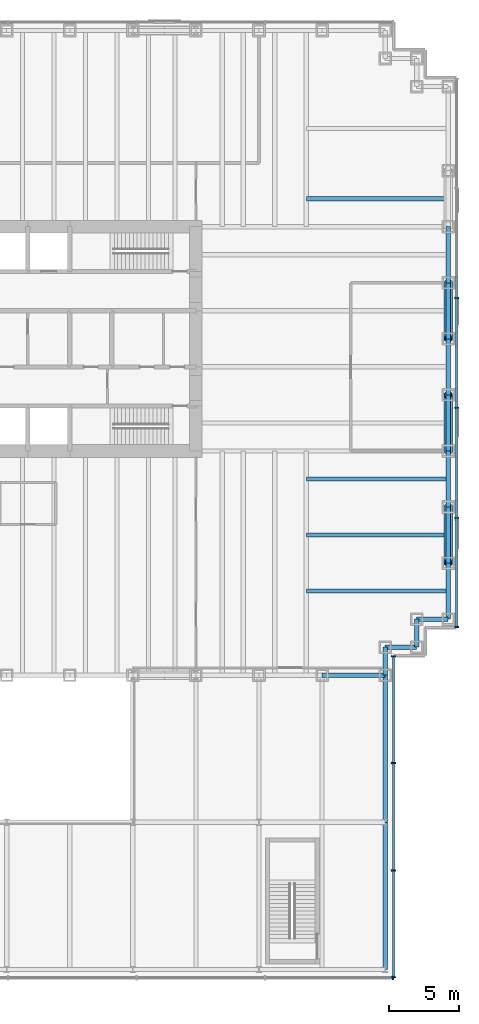
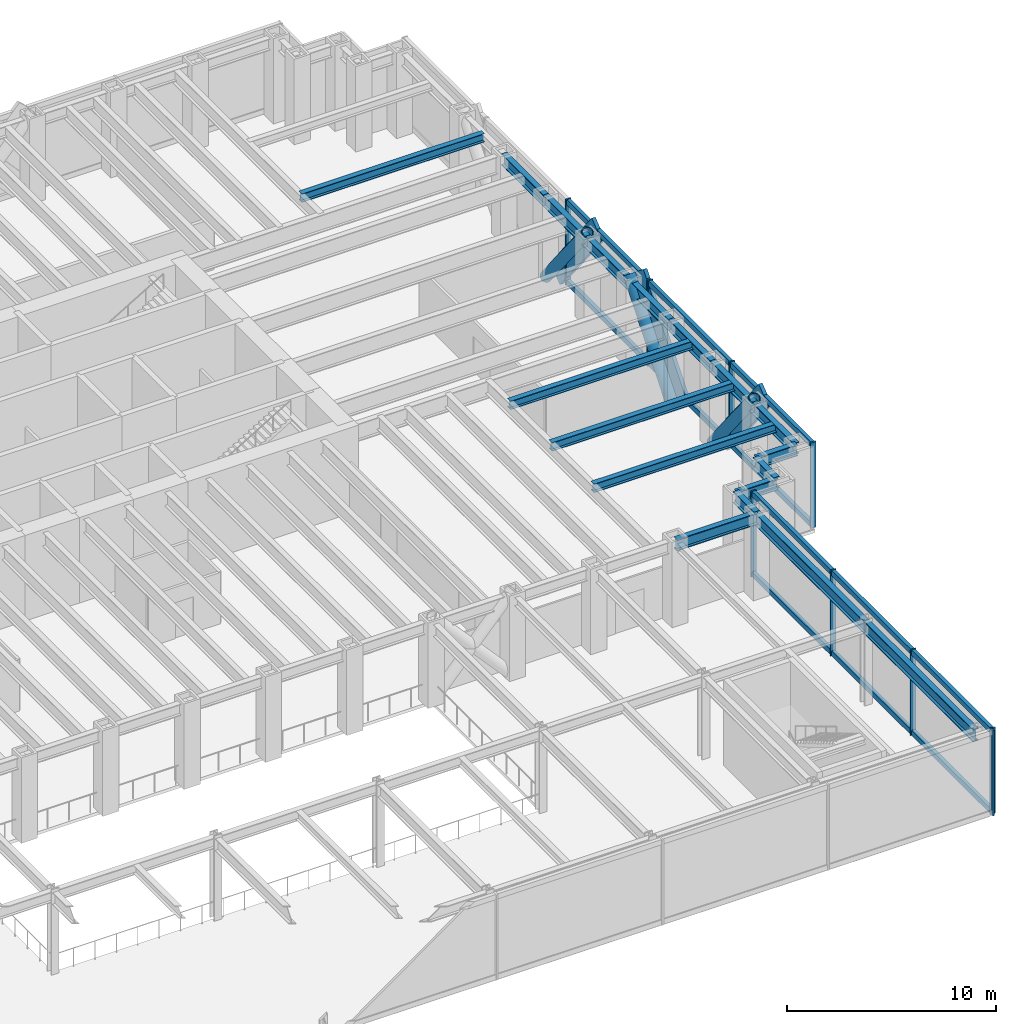
# One storey, part 7 of 17: 27 members, 18 beams, 3 elements without a shape of their own.
"""IFC4 building model written with IfcOpenShell, lengths in metres."""

import ifcopenshell
import ifcopenshell.guid

model = None  # the IFC model being written
_history = None  # IfcOwnerHistory: only IFC2X3 demands one
_inside = {}  # id of a spatial element -> (the spatial element, [elements in it])
_under = {}  # id of a project, library or spatial element -> (it, [spatial elements below it])
_declared = {}  # id of a project -> (the project, [libraries it declares])
_typed = {}  # id of a type object -> (the type object, [elements of that type])
_made_of = {}  # id of a material, layer set ... -> (it, [elements and type objects made of it])


def new_model(schema):
    """Start an empty IFC model of exactly this schema.

    Asked for "IFC4X3", IfcOpenShell would pick the latest addendum, in which some entities
    have other attributes; the version numbers below select the first issue.
    IFC2X3 requires an IfcOwnerHistory on every rooted entity: one is made here for all.
    """
    global model, _history
    if schema == "IFC4X3":
        model = ifcopenshell.file(schema_version=(4, 3, 0, 0))
    else:
        model = ifcopenshell.file(schema=schema)
    _inside.clear()
    _under.clear()
    _declared.clear()
    _typed.clear()
    _made_of.clear()
    _history = None
    if model.schema == "IFC2X3":
        org = make("IfcOrganization", Name="unknown")
        user = make(
            "IfcPersonAndOrganization",
            ThePerson=make("IfcPerson", FamilyName="unknown"),
            TheOrganization=org,
        )
        app = make(
            "IfcApplication",
            ApplicationDeveloper=org,
            Version="unknown",
            ApplicationFullName="unknown",
            ApplicationIdentifier="unknown",
        )
        _history = make(
            "IfcOwnerHistory",
            OwningUser=user,
            OwningApplication=app,
            ChangeAction="ADDED",
            CreationDate=0,
        )
    return model


def make(cls, **values):
    """One entity of the class cls with the attributes given. An attribute that is None is left unset."""
    return model.create_entity(
        cls, **{name: value for name, value in values.items() if value is not None}
    )


def rooted(cls, **values):
    """An entity with a GlobalId (a new one), such as an element, a storey or a relation."""
    return make(cls, GlobalId=ifcopenshell.guid.new(), OwnerHistory=_history, **values)


def si_unit(unit_type, name, prefix=None):
    """IfcSIUnit, for example si_unit("LENGTHUNIT", "METRE", prefix="MILLI")."""
    return make("IfcSIUnit", UnitType=unit_type, Prefix=prefix, Name=name)


def assignment(units):
    """IfcUnitAssignment: the units of a project."""
    return None if units is None else make("IfcUnitAssignment", Units=units)


def point(xyz):
    """IfcCartesianPoint."""
    return None if xyz is None else make("IfcCartesianPoint", Coordinates=xyz)


def direction(xyz):
    """IfcDirection."""
    return None if xyz is None else make("IfcDirection", DirectionRatios=xyz)


def frame(location, z_axis=None, x_axis=None):
    """IfcAxis2Placement3D, a coordinate frame: its origin and axes. An axis left out is left unset."""
    return make(
        "IfcAxis2Placement3D",
        Location=point(location),
        Axis=direction(z_axis),
        RefDirection=direction(x_axis),
    )


def frame_2d(location, x_axis=None):
    """IfcAxis2Placement2D, a coordinate frame in the plane: its origin and x axis."""
    return make(
        "IfcAxis2Placement2D", Location=point(location), RefDirection=direction(x_axis)
    )


def origin():
    """The frame at (0, 0, 0) with its axes left unset."""
    return frame((0.0, 0.0, 0.0))


def origin_2d():
    """The frame at (0, 0) in the plane with its x axis left unset."""
    return frame_2d((0.0, 0.0))


def place(relative_to, where):
    """IfcLocalPlacement: puts the frame where relative to a parent placement (None: the world)."""
    return make(
        "IfcLocalPlacement", PlacementRelTo=relative_to, RelativePlacement=where
    )


def context(
    kind, dimensions, precision=None, world=None, true_north=None, identifier=None
):
    """IfcGeometricRepresentationContext, for example the 3D "Model" context."""
    return make(
        "IfcGeometricRepresentationContext",
        ContextIdentifier=identifier,
        ContextType=kind,
        CoordinateSpaceDimension=dimensions,
        Precision=precision,
        WorldCoordinateSystem=world,
        TrueNorth=true_north,
    )


def subcontext(parent, identifier, kind, view, scale=None):
    """IfcGeometricRepresentationSubContext, for example "Body" below "Model"."""
    return make(
        "IfcGeometricRepresentationSubContext",
        ContextIdentifier=identifier,
        ContextType=kind,
        ParentContext=parent,
        TargetScale=scale,
        TargetView=view,
    )


def project(units=None, contexts=None):
    """IfcProject with its units and contexts."""
    return rooted(
        "IfcProject",
        Name="project",
        RepresentationContexts=contexts,
        UnitsInContext=assignment(units),
    )


def spatial(cls, under=None, at=None, **own):
    """A site, building, storey or space (cls), placed at a placement, below another one or the project."""
    s = rooted(cls, ObjectPlacement=at, **own)
    if under is not None:
        _under.setdefault(under.id(), (under, []))[1].append(s)
    return s


def profile(cls, at=None, kind="AREA", **sizes):
    """A parametric profile (cls). Its sizes go by their IFC names, for example OverallWidth=200.0."""
    return make(cls, ProfileType=kind, Position=at, **sizes)


def rectangle(**sizes):
    """IfcRectangleProfileDef."""
    return profile("IfcRectangleProfileDef", **sizes)


def hollow_circle(**sizes):
    """IfcCircleHollowProfileDef."""
    return profile("IfcCircleHollowProfileDef", **sizes)


def i_section(**sizes):
    """IfcIShapeProfileDef."""
    return profile("IfcIShapeProfileDef", **sizes)


def extrude(swept, where, along, depth):
    """IfcExtrudedAreaSolid: the profile swept, set in the frame where, extruded along a direction by depth."""
    return make(
        "IfcExtrudedAreaSolid",
        SweptArea=swept,
        Position=where,
        ExtrudedDirection=direction(along),
        Depth=depth,
    )


def shape(context_of_items, identifier, shape_type, items):
    """IfcShapeRepresentation: the items that make up one representation, for example the "Body"."""
    return make(
        "IfcShapeRepresentation",
        ContextOfItems=context_of_items,
        RepresentationIdentifier=identifier,
        RepresentationType=shape_type,
        Items=items,
    )


def material(Name=None, Category=None):
    """IfcMaterial."""
    return make("IfcMaterial", Name=Name, Category=Category)


def material_profile(
    of_material, cross_section, Name=None, Category=None, Priority=None
):
    """IfcMaterialProfile: a cross section and its material."""
    return make(
        "IfcMaterialProfile",
        Name=Name,
        Material=of_material,
        Profile=cross_section,
        Priority=Priority,
        Category=Category,
    )


def profile_set(profiles, Name=None, composite=None):
    """IfcMaterialProfileSet."""
    return make(
        "IfcMaterialProfileSet",
        Name=Name,
        MaterialProfiles=profiles,
        CompositeProfile=composite,
    )


def made_of(thing, what):
    """Note that an element or type object is made of a material, layer set ...; save() writes the relation."""
    if what is not None:
        _made_of.setdefault(what.id(), (what, []))[1].append(thing)
    return thing


def type_object(cls, material=None, **own):
    """A type object (cls), such as IfcWallType, which elements share."""
    return made_of(rooted(cls, **own), material)


def element(
    cls,
    number,
    at=None,
    inside=None,
    cuts=None,
    type_object=None,
    material=None,
    context=None,
    identifier="Body",
    shape_type=None,
    held_by="IfcProductDefinitionShape",
    body=None,
    shapes=None,
    **own,
):
    """One element of the class cls, such as IfcWall. Its Tag is "e" and its number.

    at: its placement. inside: the storey or other place that contains it. cuts: it is an
    opening in that element (IfcRelVoidsElement). A single representation is given by context,
    identifier, shape_type and body (its items); several are given by shapes. held_by: the class
    of the entity that holds the representations. save() writes the other relations.
    """
    e = rooted(cls, Tag="e%d" % number, ObjectPlacement=at, **own)
    if body is not None:
        shapes = [shape(context, identifier, shape_type, body)]
    if shapes is not None:
        e.Representation = make(held_by, Representations=shapes)
    if inside is not None:
        _inside.setdefault(inside.id(), (inside, []))[1].append(e)
    if cuts is not None:
        rooted(
            "IfcRelVoidsElement", RelatingBuildingElement=cuts, RelatedOpeningElement=e
        )
    if type_object is not None:
        _typed.setdefault(type_object.id(), (type_object, []))[1].append(e)
    return made_of(e, material)


def aggregate(whole, parts):
    """IfcRelAggregates: a whole, such as a stair, and the parts it consists of."""
    return rooted("IfcRelAggregates", RelatingObject=whole, RelatedObjects=parts)


def save(model, path):
    """Write the relations noted so far, then the file.

    IfcRelAggregates (storeys below a building ...), IfcRelContainedInSpatialStructure (elements
    in a storey), IfcRelDefinesByType, IfcRelAssociatesMaterial and IfcRelDeclares: one each for
    every whole, place, type object, material and project.
    """
    for whole, parts in _under.values():
        aggregate(whole, parts)
    for where, things in _inside.values():
        rooted(
            "IfcRelContainedInSpatialStructure",
            RelatedElements=things,
            RelatingStructure=where,
        )
    for kind, things in _typed.values():
        rooted("IfcRelDefinesByType", RelatedObjects=things, RelatingType=kind)
    for what, things in _made_of.values():
        rooted("IfcRelAssociatesMaterial", RelatedObjects=things, RelatingMaterial=what)
    for by, libraries in _declared.values():
        rooted("IfcRelDeclares", RelatingContext=by, RelatedDefinitions=libraries)
    model.write(path)


model = new_model("IFC4")

# Units and contexts
model_context = context("Model", 3, precision=1e-05, world=origin(), true_north=direction((0.0, 1.0)))
body_context = subcontext(model_context, "Body", "Model", "MODEL_VIEW")
ifc_project = project(units=[si_unit("LENGTHUNIT", "METRE"), si_unit("AREAUNIT", "SQUARE_METRE"), si_unit("VOLUMEUNIT", "CUBIC_METRE"), si_unit("PLANEANGLEUNIT", "RADIAN"), si_unit("MASSUNIT", "GRAM", prefix="KILO")], contexts=[model_context])

# Site, building, storey
site_placement = place(None, origin())
site = spatial("IfcSite", under=ifc_project, at=site_placement, CompositionType="ELEMENT")
building_placement = place(site_placement, origin())
building = spatial("IfcBuilding", under=site, at=building_placement, Name="Rheinbord Bourse Tower", CompositionType="ELEMENT")
storey_placement = place(building_placement, frame((0.0, 0.0, 13.0)))
storey = spatial("IfcBuildingStorey", under=building, at=storey_placement, Name="L02", CompositionType="ELEMENT", Elevation=13.0)

# Curtain wall, members
ifc_material_1 = material(Name="Dark glass and black aluminium", Category="aluminium")
curtain_wall_type = type_object("IfcCurtainWallType", Name="CW4 DARK GLASS CURTAIN WALL", PredefinedType="USERDEFINED", material=ifc_material_1)
curtain_wall_1_placement = place(storey_placement, origin())
curtain_wall_1 = element("IfcCurtainWall", 1, at=curtain_wall_1_placement, inside=storey, type_object=curtain_wall_type, Name="Curtain wall CW4 E L02", ObjectType="UNITISED CURTAIN WALL", PredefinedType="USERDEFINED")
ifc_material_2 = material(Name="Black anodised aluminium", Category="aluminium")
ifc_material_profile_1 = material_profile(ifc_material_2, rectangle(XDim=0.199951171875, YDim=1.2099609375, at=origin_2d()), Name="CW4 DIAGONAL MULLION 1210x200")
ifc_profile_set_1 = profile_set([ifc_material_profile_1], Name="Black anodised aluminium")
member_type_1 = type_object("IfcMemberType", Name="CW4 BLACK DIAGONAL MULLION", PredefinedType="USERDEFINED", material=ifc_profile_set_1)
member_1_placement = place(storey_placement, frame((72.60009765625, 16.0, 0.0), z_axis=(0.0, 0.624695047554, 0.780868809443), x_axis=(-1.0, 0.0, 0.0)))
member_1 = element("IfcMember", 2, at=member_1_placement, type_object=member_type_1, Name="CW4 diagonal mullion a", ObjectType="DIAGONAL MULLION", PredefinedType="USERDEFINED", context=body_context, shape_type="SweptSolid", body=[
    extrude(rectangle(XDim=0.199951171875, YDim=1.2099609375, at=origin_2d()), origin(), (0.0, 0.0, 1.0), 6.403076171875),
])
member_2_placement = place(storey_placement, frame((72.60009765625, 28.0, 0.0), z_axis=(0.0, -0.624695047554, 0.780868809443), x_axis=(1.0, 0.0, 0.0)))
member_2 = element("IfcMember", 3, at=member_2_placement, type_object=member_type_1, Name="CW4 diagonal mullion b", ObjectType="DIAGONAL MULLION", PredefinedType="USERDEFINED", context=body_context, shape_type="SweptSolid", body=[
    extrude(rectangle(XDim=0.199951171875, YDim=1.2099609375, at=origin_2d()), origin(), (0.0, 0.0, 1.0), 6.403076171875),
])
member_3_placement = place(storey_placement, frame((72.60009765625, 12.0, 0.0), z_axis=(0.0, -0.624695047554, 0.780868809443), x_axis=(1.0, 0.0, 0.0)))
member_3 = element("IfcMember", 4, at=member_3_placement, type_object=member_type_1, Name="CW4 diagonal mullion d", ObjectType="DIAGONAL MULLION", PredefinedType="USERDEFINED", context=body_context, shape_type="SweptSolid", body=[
    extrude(rectangle(XDim=0.199951171875, YDim=1.2099609375, at=origin_2d()), origin(), (0.0, 0.0, 1.0), 6.403076171875),
])

# Curtain wall, member
curtain_wall_2_placement = place(storey_placement, origin())
curtain_wall_2 = element("IfcCurtainWall", 5, at=curtain_wall_2_placement, inside=storey, type_object=curtain_wall_type, Name="Curtain wall CW4 S L02", ObjectType="UNITISED CURTAIN WALL", PredefinedType="USERDEFINED")
ifc_material_3 = material(Name="Black anodised aluminium", Category="aluminium")
ifc_material_profile_2 = material_profile(ifc_material_3, rectangle(XDim=0.300048828125, YDim=0.090087890625, at=origin_2d()), Name="CW4 MULLION 90x300")
ifc_profile_set_2 = profile_set([ifc_material_profile_2], Name="Black anodised aluminium")
member_type_2 = type_object("IfcMemberType", Name="CW4 BLACK MULLION", PredefinedType="MULLION", material=ifc_profile_set_2)
member_4_placement = place(storey_placement, frame((68.054931640625, -21.60009765625, 0.0), z_axis=(0.0, 0.0, 1.0), x_axis=(0.0, 1.0, 0.0)))
member_4 = element("IfcMember", 6, at=member_4_placement, type_object=member_type_2, Name="CW4 mullion 8", PredefinedType="MULLION", context=body_context, shape_type="SweptSolid", body=[
    extrude(rectangle(XDim=0.300048828125, YDim=0.090087890625, at=origin_2d()), origin(), (0.0, 0.0, 1.0), 5.0),
])
aggregate(curtain_wall_2, [member_4])

# Curtain wall, members
curtain_wall_3_placement = place(storey_placement, origin())
curtain_wall_3 = element("IfcCurtainWall", 7, at=curtain_wall_3_placement, inside=storey, type_object=curtain_wall_type, Name="Curtain wall CW4 E L02", ObjectType="UNITISED CURTAIN WALL", PredefinedType="USERDEFINED")
member_5_placement = place(storey_placement, frame((68.10009765625, -21.554931640625, 0.0), z_axis=(0.0, 0.0, 1.0), x_axis=(-1.0, 0.0, 0.0)))
member_5 = element("IfcMember", 8, at=member_5_placement, type_object=member_type_2, Name="CW4 mullion 1", PredefinedType="MULLION", context=body_context, shape_type="SweptSolid", body=[
    extrude(rectangle(XDim=0.300048828125, YDim=0.090087890625, at=origin_2d()), origin(), (0.0, 0.0, 1.0), 5.0),
])
member_6_placement = place(storey_placement, frame((68.10009765625, -13.933349609375, 0.0), z_axis=(0.0, 0.0, 1.0), x_axis=(-1.0, 0.0, 0.0)))
member_6 = element("IfcMember", 9, at=member_6_placement, type_object=member_type_2, Name="CW4 mullion 2", PredefinedType="MULLION", context=body_context, shape_type="SweptSolid", body=[
    extrude(rectangle(XDim=0.300048828125, YDim=0.090087890625, at=origin_2d()), origin(), (0.0, 0.0, 1.0), 5.0),
])
member_7_placement = place(storey_placement, frame((68.10009765625, -6.2666015625, 0.0), z_axis=(0.0, 0.0, 1.0), x_axis=(-1.0, 0.0, 0.0)))
member_7 = element("IfcMember", 10, at=member_7_placement, type_object=member_type_2, Name="CW4 mullion 3", PredefinedType="MULLION", context=body_context, shape_type="SweptSolid", body=[
    extrude(rectangle(XDim=0.300048828125, YDim=0.090087890625, at=origin_2d()), origin(), (0.0, 0.0, 1.0), 5.0),
])
member_8_placement = place(storey_placement, frame((68.10009765625, 1.35498046875, 0.0), z_axis=(0.0, 0.0, 1.0), x_axis=(-1.0, 0.0, 0.0)))
member_8 = element("IfcMember", 11, at=member_8_placement, type_object=member_type_2, Name="CW4 mullion 4", PredefinedType="MULLION", context=body_context, shape_type="SweptSolid", body=[
    extrude(rectangle(XDim=0.300048828125, YDim=0.090087890625, at=origin_2d()), origin(), (0.0, 0.0, 1.0), 5.0),
])

# Member
member_9_placement = place(storey_placement, frame((72.60009765625, 3.445068359375, 0.0), z_axis=(0.0, 0.0, 1.0), x_axis=(-1.0, 0.0, 0.0)))
member_9 = element("IfcMember", 12, at=member_9_placement, type_object=member_type_2, Name="CW4 mullion 1", PredefinedType="MULLION", context=body_context, shape_type="SweptSolid", body=[
    extrude(rectangle(XDim=0.300048828125, YDim=0.090087890625, at=origin_2d()), origin(), (0.0, 0.0, 1.0), 5.0),
])

member_10_placement = place(storey_placement, frame((72.60009765625, 11.239990234375, 0.0), z_axis=(0.0, 0.0, 1.0), x_axis=(-1.0, 0.0, 0.0)))
member_10 = element("IfcMember", 13, at=member_10_placement, type_object=member_type_2, Name="CW4 mullion 2", PredefinedType="MULLION", context=body_context, shape_type="SweptSolid", body=[
    extrude(rectangle(XDim=0.300048828125, YDim=0.090087890625, at=origin_2d()), origin(), (0.0, 0.0, 1.0), 5.0),
])

member_11_placement = place(storey_placement, frame((72.60009765625, 19.080078125, 0.0), z_axis=(0.0, 0.0, 1.0), x_axis=(-1.0, 0.0, 0.0)))
member_11 = element("IfcMember", 14, at=member_11_placement, type_object=member_type_2, Name="CW4 mullion 3", PredefinedType="MULLION", context=body_context, shape_type="SweptSolid", body=[
    extrude(rectangle(XDim=0.300048828125, YDim=0.090087890625, at=origin_2d()), origin(), (0.0, 0.0, 1.0), 5.0),
])

member_12_placement = place(storey_placement, frame((72.60009765625, 26.919921875, 0.0), z_axis=(0.0, 0.0, 1.0), x_axis=(-1.0, 0.0, 0.0)))
member_12 = element("IfcMember", 15, at=member_12_placement, type_object=member_type_2, Name="CW4 mullion 4", PredefinedType="MULLION", context=body_context, shape_type="SweptSolid", body=[
    extrude(rectangle(XDim=0.300048828125, YDim=0.090087890625, at=origin_2d()), origin(), (0.0, 0.0, 1.0), 5.0),
])

ifc_material_4 = material(Name="Black anodised aluminium", Category="aluminium")
ifc_material_profile_3 = material_profile(ifc_material_4, rectangle(XDim=0.199951171875, YDim=0.300048828125, at=origin_2d()), Name="CW4 TRANSOM 300x200")
ifc_profile_set_3 = profile_set([ifc_material_profile_3], Name="Black anodised aluminium")
member_type_3 = type_object("IfcMemberType", Name="CW4 BLACK TRANSOM", PredefinedType="USERDEFINED", material=ifc_profile_set_3)
member_13_placement = place(storey_placement, frame((68.10009765625, -21.510009765625, 0.14990234375), z_axis=(0.0, 1.0, 0.0), x_axis=(-1.0, 0.0, 0.0)))
member_13 = element("IfcMember", 16, at=member_13_placement, type_object=member_type_3, Name="CW4 transom 1.1", ObjectType="TRANSOM", PredefinedType="USERDEFINED", context=body_context, shape_type="SweptSolid", body=[
    extrude(rectangle(XDim=0.199951171875, YDim=0.300048828125, at=origin_2d()), origin(), (0.0, 0.0, 1.0), 7.53173828125),
])

member_14_placement = place(storey_placement, frame((68.10009765625, -21.510009765625, 4.85009765625), z_axis=(0.0, 1.0, 0.0), x_axis=(-1.0, 0.0, 0.0)))
member_14 = element("IfcMember", 17, at=member_14_placement, type_object=member_type_3, Name="CW4 transom 1.2", ObjectType="TRANSOM", PredefinedType="USERDEFINED", context=body_context, shape_type="SweptSolid", body=[
    extrude(rectangle(XDim=0.199951171875, YDim=0.300048828125, at=origin_2d()), origin(), (0.0, 0.0, 1.0), 7.53173828125),
])

member_15_placement = place(storey_placement, frame((68.10009765625, -13.888427734375, 0.14990234375), z_axis=(0.0, 1.0, 0.0), x_axis=(-1.0, 0.0, 0.0)))
member_15 = element("IfcMember", 18, at=member_15_placement, type_object=member_type_3, Name="CW4 transom 2.1", ObjectType="TRANSOM", PredefinedType="USERDEFINED", context=body_context, shape_type="SweptSolid", body=[
    extrude(rectangle(XDim=0.199951171875, YDim=0.300048828125, at=origin_2d()), origin(), (0.0, 0.0, 1.0), 7.57666015625),
])

member_16_placement = place(storey_placement, frame((68.10009765625, -13.888427734375, 4.85009765625), z_axis=(0.0, 1.0, 0.0), x_axis=(-1.0, 0.0, 0.0)))
member_16 = element("IfcMember", 19, at=member_16_placement, type_object=member_type_3, Name="CW4 transom 2.2", ObjectType="TRANSOM", PredefinedType="USERDEFINED", context=body_context, shape_type="SweptSolid", body=[
    extrude(rectangle(XDim=0.199951171875, YDim=0.300048828125, at=origin_2d()), origin(), (0.0, 0.0, 1.0), 7.57666015625),
])

member_17_placement = place(storey_placement, frame((68.10009765625, -6.2216796875, 0.14990234375), z_axis=(0.0, 1.0, 0.0), x_axis=(-1.0, 0.0, 0.0)))
member_17 = element("IfcMember", 20, at=member_17_placement, type_object=member_type_3, Name="CW4 transom 3.1", ObjectType="TRANSOM", PredefinedType="USERDEFINED", context=body_context, shape_type="SweptSolid", body=[
    extrude(rectangle(XDim=0.199951171875, YDim=0.300048828125, at=origin_2d()), origin(), (0.0, 0.0, 1.0), 7.53173828125),
])

member_18_placement = place(storey_placement, frame((68.10009765625, -6.2216796875, 4.85009765625), z_axis=(0.0, 1.0, 0.0), x_axis=(-1.0, 0.0, 0.0)))
member_18 = element("IfcMember", 21, at=member_18_placement, type_object=member_type_3, Name="CW4 transom 3.2", ObjectType="TRANSOM", PredefinedType="USERDEFINED", context=body_context, shape_type="SweptSolid", body=[
    extrude(rectangle(XDim=0.199951171875, YDim=0.300048828125, at=origin_2d()), origin(), (0.0, 0.0, 1.0), 7.53173828125),
])

aggregate(curtain_wall_3, [member_5, member_6, member_7, member_8, member_13, member_14, member_15, member_16, member_17, member_18])

member_19_placement = place(storey_placement, frame((72.60009765625, 3.489990234375, 0.14990234375), z_axis=(0.0, 1.0, 0.0), x_axis=(-1.0, 0.0, 0.0)))
member_19 = element("IfcMember", 22, at=member_19_placement, type_object=member_type_3, Name="CW4 transom 1.1", ObjectType="TRANSOM", PredefinedType="USERDEFINED", context=body_context, shape_type="SweptSolid", body=[
    extrude(rectangle(XDim=0.199951171875, YDim=0.300048828125, at=origin_2d()), origin(), (0.0, 0.0, 1.0), 7.705078125),
])

member_20_placement = place(storey_placement, frame((72.60009765625, 3.489990234375, 4.85009765625), z_axis=(0.0, 1.0, 0.0), x_axis=(-1.0, 0.0, 0.0)))
member_20 = element("IfcMember", 23, at=member_20_placement, type_object=member_type_3, Name="CW4 transom 1.2", ObjectType="TRANSOM", PredefinedType="USERDEFINED", context=body_context, shape_type="SweptSolid", body=[
    extrude(rectangle(XDim=0.199951171875, YDim=0.300048828125, at=origin_2d()), origin(), (0.0, 0.0, 1.0), 7.705078125),
])

member_21_placement = place(storey_placement, frame((72.60009765625, 11.284912109375, 0.14990234375), z_axis=(0.0, 1.0, 0.0), x_axis=(-1.0, 0.0, 0.0)))
member_21 = element("IfcMember", 24, at=member_21_placement, type_object=member_type_3, Name="CW4 transom 2.1", ObjectType="TRANSOM", PredefinedType="USERDEFINED", context=body_context, shape_type="SweptSolid", body=[
    extrude(rectangle(XDim=0.199951171875, YDim=0.300048828125, at=origin_2d()), origin(), (0.0, 0.0, 1.0), 7.75),
])

member_22_placement = place(storey_placement, frame((72.60009765625, 11.284912109375, 4.85009765625), z_axis=(0.0, 1.0, 0.0), x_axis=(-1.0, 0.0, 0.0)))
member_22 = element("IfcMember", 25, at=member_22_placement, type_object=member_type_3, Name="CW4 transom 2.2", ObjectType="TRANSOM", PredefinedType="USERDEFINED", context=body_context, shape_type="SweptSolid", body=[
    extrude(rectangle(XDim=0.199951171875, YDim=0.300048828125, at=origin_2d()), origin(), (0.0, 0.0, 1.0), 7.75),
])

member_23_placement = place(storey_placement, frame((72.60009765625, 19.125, 0.14990234375), z_axis=(0.0, 1.0, 0.0), x_axis=(-1.0, 0.0, 0.0)))
member_23 = element("IfcMember", 26, at=member_23_placement, type_object=member_type_3, Name="CW4 transom 3.1", ObjectType="TRANSOM", PredefinedType="USERDEFINED", context=body_context, shape_type="SweptSolid", body=[
    extrude(rectangle(XDim=0.199951171875, YDim=0.300048828125, at=origin_2d()), origin(), (0.0, 0.0, 1.0), 7.75),
])

member_24_placement = place(storey_placement, frame((72.60009765625, 19.125, 4.85009765625), z_axis=(0.0, 1.0, 0.0), x_axis=(-1.0, 0.0, 0.0)))
member_24 = element("IfcMember", 27, at=member_24_placement, type_object=member_type_3, Name="CW4 transom 3.2", ObjectType="TRANSOM", PredefinedType="USERDEFINED", context=body_context, shape_type="SweptSolid", body=[
    extrude(rectangle(XDim=0.199951171875, YDim=0.300048828125, at=origin_2d()), origin(), (0.0, 0.0, 1.0), 7.75),
])

aggregate(curtain_wall_1, [member_9, member_10, member_11, member_12, member_19, member_20, member_21, member_22, member_23, member_24, member_1, member_2, member_3])

# Members
ifc_material_5 = material(Name="Steel S460", Category="steel")
ifc_material_profile_4 = material_profile(ifc_material_5, hollow_circle(Radius=0.304931640625, WallThickness=0.050048828125, at=origin_2d()), Name="CHS 610x50")
ifc_profile_set_4 = profile_set([ifc_material_profile_4], Name="Steel S460")
member_type_4 = type_object("IfcMemberType", Name="MEGABRACE CHS 610x50", PredefinedType="BRACE", material=ifc_profile_set_4)
for number, where, z_axis, x_axis, name in (
    (28, (72.0, 16.0, 0.0), (0.0, 0.624695047554, 0.780868809443), (-1.0, 0.0, 0.0), "Megabrace E face line a L02"),
    (29, (72.0, 28.0, 0.0), (0.0, -0.624695047554, 0.780868809443), (1.0, 0.0, 0.0), "Megabrace E face line b L02"),
    (30, (72.0, 12.0, 0.0), (0.0, -0.624695047554, 0.780868809443), (1.0, 0.0, 0.0), "Megabrace E face line d L02"),
):
    element("IfcMember", number, at=place(storey_placement, frame(where, z_axis=z_axis, x_axis=x_axis)), inside=storey, type_object=member_type_4, Name=name, PredefinedType="BRACE", context=body_context, shape_type="SweptSolid", body=[
        extrude(hollow_circle(Radius=0.304931640625, WallThickness=0.050048828125, at=origin_2d()), origin(), (0.0, 0.0, 1.0), 6.403076171875),
    ])

# Beams
ifc_material_6 = material(Name="Steel S460", Category="steel")
ifc_material_profile_5 = material_profile(ifc_material_6, i_section(OverallWidth=0.303955078125, OverallDepth=0.716064453125, WebThickness=0.02099609375, FlangeThickness=0.0400390625, at=origin_2d()), Name="HEM 700")
ifc_profile_set_5 = profile_set([ifc_material_profile_5], Name="Steel S460")
beam_type_1 = type_object("IfcBeamType", Name="PODIUM GIRDER HEM 700", PredefinedType="BEAM", material=ifc_profile_set_5)
for number, where, z_axis, x_axis, name in (
    (31, (67.5, -21.0, 4.4619140625), (0.0, 1.0, 0.0), (-1.0, 0.0, 0.0), "Podium girder 67.5 L03"),
    (32, (67.5, -10.5, 4.4619140625), (0.0, 1.0, 0.0), (-1.0, 0.0, 0.0), "Podium girder 67.5 L03"),
):
    element("IfcBeam", number, at=place(storey_placement, frame(where, z_axis=z_axis, x_axis=x_axis)), inside=storey, type_object=beam_type_1, Name=name, PredefinedType="BEAM", context=body_context, shape_type="SweptSolid", body=[
        extrude(i_section(OverallWidth=0.303955078125, OverallDepth=0.716064453125, WebThickness=0.02099609375, FlangeThickness=0.0400390625, at=origin_2d()), origin(), (0.0, 0.0, 1.0), 10.5),
    ])
ifc_material_7 = material(Name="Steel S460", Category="steel")
ifc_material_profile_6 = material_profile(ifc_material_7, i_section(OverallWidth=0.304931640625, OverallDepth=0.66796875, WebThickness=0.02099609375, FlangeThickness=0.0400390625, at=origin_2d()), Name="HEM 650")
ifc_profile_set_6 = profile_set([ifc_material_profile_6], Name="Steel S460")
beam_type_2 = type_object("IfcBeamType", Name="SPANDREL HEM 650", PredefinedType="SPANDREL", material=ifc_profile_set_6)
beam_1_placement = place(storey_placement, frame((63.0, 0.0, 4.486083984375), z_axis=(1.0, 0.0, 0.0), x_axis=(0.0, 1.0, 0.0)))
element("IfcBeam", 33, at=beam_1_placement, inside=storey, type_object=beam_type_2, Name="Spandrel S-63-SE-E under L03", PredefinedType="SPANDREL", context=body_context, shape_type="SweptSolid", body=[
    extrude(i_section(OverallWidth=0.304931640625, OverallDepth=0.66796875, WebThickness=0.02099609375, FlangeThickness=0.0400390625, at=origin_2d()), origin(), (0.0, 0.0, 1.0), 4.5),
])
beam_2_placement = place(storey_placement, frame((67.5, 0.0, 4.486083984375), z_axis=(0.0, 1.0, 0.0), x_axis=(-1.0, 0.0, 0.0)))
element("IfcBeam", 34, at=beam_2_placement, inside=storey, type_object=beam_type_2, Name="Spandrel SE-E-SE-D under L03", PredefinedType="SPANDREL", context=body_context, shape_type="SweptSolid", body=[
    extrude(i_section(OverallWidth=0.304931640625, OverallDepth=0.66796875, WebThickness=0.02099609375, FlangeThickness=0.0400390625, at=origin_2d()), origin(), (0.0, 0.0, 1.0), 2.0),
])
beam_3_placement = place(storey_placement, frame((67.5, 2.0, 4.486083984375), z_axis=(1.0, 0.0, 0.0), x_axis=(0.0, 1.0, 0.0)))
element("IfcBeam", 35, at=beam_3_placement, inside=storey, type_object=beam_type_2, Name="Spandrel SE-D-SE-C under L03", PredefinedType="SPANDREL", context=body_context, shape_type="SweptSolid", body=[
    extrude(i_section(OverallWidth=0.304931640625, OverallDepth=0.66796875, WebThickness=0.02099609375, FlangeThickness=0.0400390625, at=origin_2d()), origin(), (0.0, 0.0, 1.0), 2.25),
])
beam_4_placement = place(storey_placement, frame((69.75, 2.0, 4.486083984375), z_axis=(0.0, 1.0, 0.0), x_axis=(-1.0, 0.0, 0.0)))
element("IfcBeam", 36, at=beam_4_placement, inside=storey, type_object=beam_type_2, Name="Spandrel SE-C-SE-B under L03", PredefinedType="SPANDREL", context=body_context, shape_type="SweptSolid", body=[
    extrude(i_section(OverallWidth=0.304931640625, OverallDepth=0.66796875, WebThickness=0.02099609375, FlangeThickness=0.0400390625, at=origin_2d()), origin(), (0.0, 0.0, 1.0), 2.0),
])
beam_5_placement = place(storey_placement, frame((69.75, 4.0, 4.486083984375), z_axis=(1.0, 0.0, 0.0), x_axis=(0.0, 1.0, 0.0)))
element("IfcBeam", 37, at=beam_5_placement, inside=storey, type_object=beam_type_2, Name="Spandrel SE-B-SE-A under L03", PredefinedType="SPANDREL", context=body_context, shape_type="SweptSolid", body=[
    extrude(i_section(OverallWidth=0.304931640625, OverallDepth=0.66796875, WebThickness=0.02099609375, FlangeThickness=0.0400390625, at=origin_2d()), origin(), (0.0, 0.0, 1.0), 2.25),
])
for number, where, z_axis, x_axis, name in (
    (38, (72.0, 4.0, 4.486083984375), (0.0, 1.0, 0.0), (-1.0, 0.0, 0.0), "Spandrel SE-A-E-8 under L03"),
    (39, (72.0, 8.0, 4.486083984375), (0.0, 1.0, 0.0), (-1.0, 0.0, 0.0), "Spandrel E-8-E-12 under L03"),
    (40, (72.0, 12.0, 4.486083984375), (0.0, 1.0, 0.0), (-1.0, 0.0, 0.0), "Spandrel E-12-E-16 under L03"),
    (41, (72.0, 16.0, 4.486083984375), (0.0, 1.0, 0.0), (-1.0, 0.0, 0.0), "Spandrel E-16-E-20 under L03"),
    (42, (72.0, 20.0, 4.486083984375), (0.0, 1.0, 0.0), (-1.0, 0.0, 0.0), "Spandrel E-20-E-24 under L03"),
    (43, (72.0, 24.0, 4.486083984375), (0.0, 1.0, 0.0), (-1.0, 0.0, 0.0), "Spandrel E-24-E-28 under L03"),
    (44, (72.0, 28.0, 4.486083984375), (0.0, 1.0, 0.0), (-1.0, 0.0, 0.0), "Spandrel E-28-E-32 under L03"),
):
    element("IfcBeam", number, at=place(storey_placement, frame(where, z_axis=z_axis, x_axis=x_axis)), inside=storey, type_object=beam_type_2, Name=name, PredefinedType="SPANDREL", context=body_context, shape_type="SweptSolid", body=[
        extrude(i_section(OverallWidth=0.304931640625, OverallDepth=0.66796875, WebThickness=0.02099609375, FlangeThickness=0.0400390625, at=origin_2d()), origin(), (0.0, 0.0, 1.0), 4.0),
    ])
ifc_material_8 = material(Name="Steel S460", Category="steel")
ifc_material_profile_7 = material_profile(ifc_material_8, i_section(OverallWidth=0.300048828125, OverallDepth=0.5, WebThickness=0.014404296875, FlangeThickness=0.028076171875, at=origin_2d()), Name="HEB 500")
ifc_profile_set_7 = profile_set([ifc_material_profile_7], Name="Steel S460")
beam_type_3 = type_object("IfcBeamType", Name="TIE BEAM HEB 500", PredefinedType="JOIST", material=ifc_profile_set_7)
for number, where, z_axis, x_axis, name in (
    (45, (61.875, 6.0, 4.570068359375), (1.0, 0.0, 0.0), (0.0, 1.0, 0.0), "Tie east 6 L03"),
    (46, (61.875, 10.0, 4.570068359375), (1.0, 0.0, 0.0), (0.0, 1.0, 0.0), "Tie east 10 L03"),
    (47, (61.875, 14.0, 4.570068359375), (1.0, 0.0, 0.0), (0.0, 1.0, 0.0), "Tie east 14 L03"),
    (48, (61.875, 34.0, 4.570068359375), (1.0, 0.0, 0.0), (0.0, 1.0, 0.0), "Tie east 34 L03"),
):
    element("IfcBeam", number, at=place(storey_placement, frame(where, z_axis=z_axis, x_axis=x_axis)), inside=storey, type_object=beam_type_3, Name=name, PredefinedType="JOIST", context=body_context, shape_type="SweptSolid", body=[
        extrude(i_section(OverallWidth=0.300048828125, OverallDepth=0.5, WebThickness=0.014404296875, FlangeThickness=0.028076171875, at=origin_2d()), origin(), (0.0, 0.0, 1.0), 10.125),
    ])

save(model, "model.ifc")
